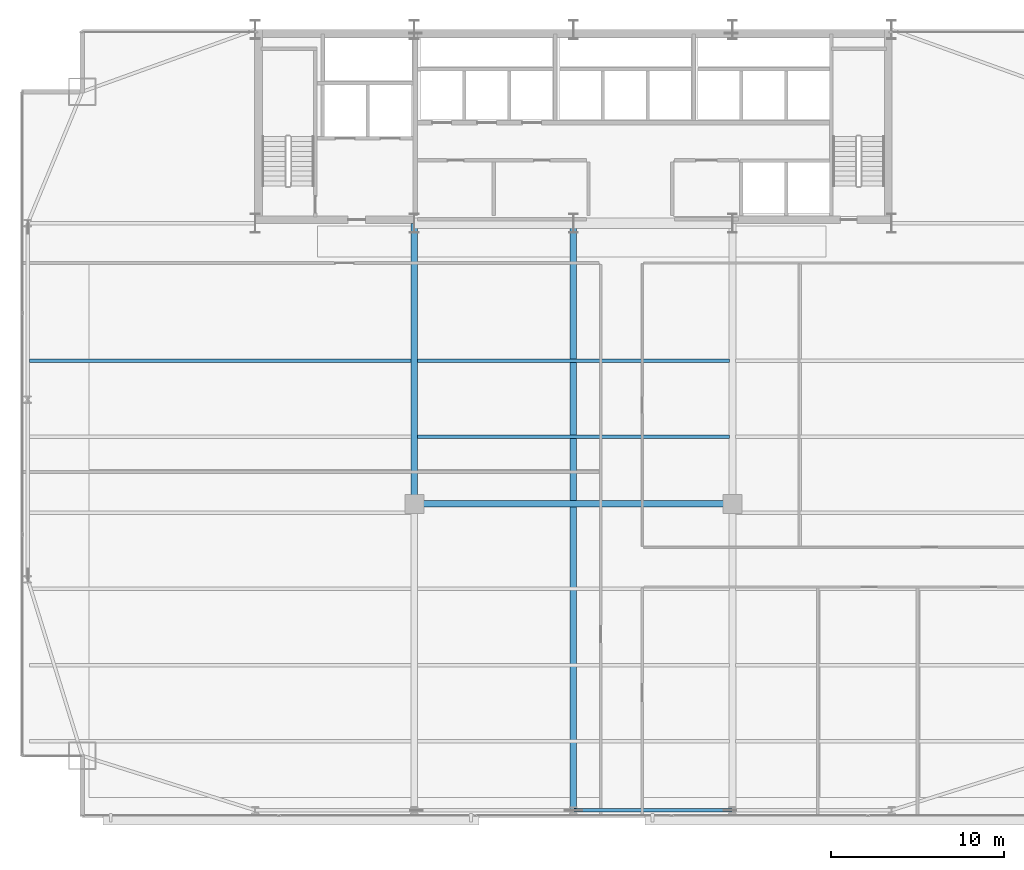
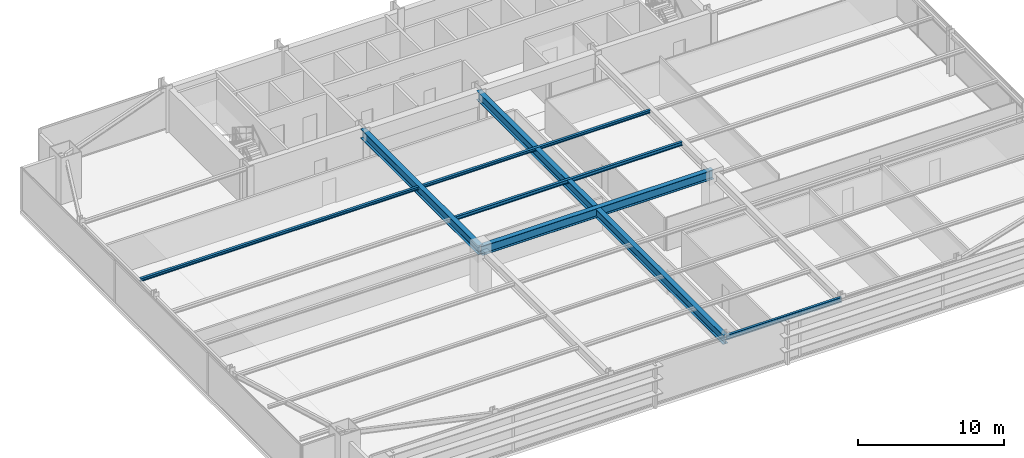
# One storey, part 11 of 32: 7 beams.
"""IFC4 building model written with IfcOpenShell, lengths in metres."""

from ifc_helpers import new_model, si_unit, direction, frame, origin, origin_2d, place, context, subcontext, project, spatial, i_section, extrude, source, transform, mapped, material, material_profile, profile_set, type_object, type_shapes, element, save


model = new_model("IFC4")

# Units and contexts
model_context = context("Model", 3, precision=1e-05, world=origin(), true_north=direction((0.0, 1.0)))
body_context = subcontext(model_context, "Body", "Model", "MODEL_VIEW")
ifc_project = project(units=[si_unit("LENGTHUNIT", "METRE"), si_unit("AREAUNIT", "SQUARE_METRE"), si_unit("VOLUMEUNIT", "CUBIC_METRE"), si_unit("PLANEANGLEUNIT", "RADIAN"), si_unit("MASSUNIT", "GRAM", prefix="KILO")], contexts=[model_context])

# Site, building, storey
site_placement = place(None, origin())
site = spatial("IfcSite", under=ifc_project, at=site_placement, CompositionType="ELEMENT")
building_placement = place(site_placement, origin())
building = spatial("IfcBuilding", under=site, at=building_placement, Name="Varnel Quay Broadcast Tower", CompositionType="ELEMENT")
storey_placement = place(building_placement, frame((0.0, 0.0, 78.300048828125)))
storey = spatial("IfcBuildingStorey", under=building, at=storey_placement, Name="L18", CompositionType="ELEMENT", Elevation=78.300048828125)

# Beams
ifc_material = material(Name="Structural Steel CSA G40.21 350W", Category="steel")
ifc_material_profile_1 = material_profile(ifc_material, i_section(OverallWidth=0.180908203125, OverallDepth=0.4169921875, WebThickness=0.010986328125, FlangeThickness=0.018310546875, FilletRadius=0.011962890625, at=origin_2d()), Name="W410X85")
ifc_profile_set_1 = profile_set([ifc_material_profile_1], Name="Structural Steel CSA G40.21 350W")
beam_type_1 = type_object("IfcBeamType", Name="Beam_W410X85", PredefinedType="SPANDREL", material=ifc_profile_set_1)
shared_shape_1 = source(origin(), body_context, "Body", "SweptSolid", [
    extrude(i_section(OverallWidth=0.180908203125, OverallDepth=0.4169921875, WebThickness=0.010986328125, FlangeThickness=0.018310546875, FilletRadius=0.011962890625, at=origin_2d()), origin(), (0.0, 0.0, 1.0), 9.159912109375),
])
type_shapes(beam_type_1, [shared_shape_1])
beam_1_placement = place(storey_placement, frame((34.02001953125, 1.64990234375, 3.371337890625), z_axis=(1.0, 0.0, 0.0), x_axis=(0.0, 1.0, 0.0)))
element("IfcBeam", 1, at=beam_1_placement, inside=storey, type_object=beam_type_1, Name="L18 South Spandrel TC-S3-TC-S4", PredefinedType="SPANDREL", context=body_context, shape_type="MappedRepresentation", body=[
    mapped(shared_shape_1, transform((0.0, 0.0, 0.0), x_axis=(1.0, 0.0, 0.0), y_axis=(0.0, 1.0, 0.0), z_axis=(0.0, 0.0, 1.0), scale=1.0)),
])
ifc_material_profile_2 = material_profile(ifc_material, i_section(OverallWidth=0.381103515625, OverallDepth=0.77294921875, WebThickness=0.0166015625, FlangeThickness=0.027587890625, FilletRadius=0.01806640625, at=origin_2d()), Name="W760X257")
ifc_profile_set_2 = profile_set([ifc_material_profile_2], Name="Structural Steel CSA G40.21 350W")
beam_type_2 = type_object("IfcBeamType", Name="Girder_W760X257", PredefinedType="BEAM", material=ifc_profile_set_2)
shared_shape_2 = source(origin(), body_context, "Body", "SweptSolid", [
    extrude(i_section(OverallWidth=0.381103515625, OverallDepth=0.77294921875, WebThickness=0.0166015625, FlangeThickness=0.027587890625, FilletRadius=0.01806640625, at=origin_2d()), origin(), (0.0, 0.0, 1.0), 16.190185546875),
])
beam_2_placement = place(storey_placement, frame((24.800048828125, 19.389892578125, 3.193359375), z_axis=(0.0, 1.0, 0.0), x_axis=(-1.0, 0.0, 0.0)))
element("IfcBeam", 2, at=beam_2_placement, inside=storey, type_object=beam_type_2, Name="L18 Primary Girder IC-01-CC-S2", PredefinedType="BEAM", context=body_context, shape_type="MappedRepresentation", body=[
    mapped(shared_shape_2, transform((0.0, 0.0, 0.0), x_axis=(1.0, 0.0, 0.0), y_axis=(0.0, 1.0, 0.0), z_axis=(0.0, 0.0, 1.0), scale=1.0)),
])
shared_shape_3 = source(origin(), body_context, "Body", "SweptSolid", [
    extrude(i_section(OverallWidth=0.381103515625, OverallDepth=0.77294921875, WebThickness=0.0166015625, FlangeThickness=0.027587890625, FilletRadius=0.01806640625, at=origin_2d()), origin(), (0.0, 0.0, 1.0), 18.35986328125),
])
beam_3_placement = place(storey_placement, frame((24.820068359375, 19.3701171875, 3.193359375), z_axis=(1.0, 0.0, 0.0), x_axis=(0.0, 1.0, 0.0)))
element("IfcBeam", 3, at=beam_3_placement, inside=storey, type_object=beam_type_2, Name="L18 Interior Spine Girder", PredefinedType="BEAM", context=body_context, shape_type="MappedRepresentation", body=[
    mapped(shared_shape_3, transform((0.0, 0.0, 0.0), x_axis=(1.0, 0.0, 0.0), y_axis=(0.0, 1.0, 0.0), z_axis=(0.0, 0.0, 1.0), scale=1.0)),
])
shared_shape_4 = source(origin(), body_context, "Body", "SweptSolid", [
    extrude(i_section(OverallWidth=0.381103515625, OverallDepth=0.77294921875, WebThickness=0.0166015625, FlangeThickness=0.027587890625, FilletRadius=0.01806640625, at=origin_2d()), origin(), (0.0, 0.0, 1.0), 33.91015625),
])
type_shapes(beam_type_2, [shared_shape_2, shared_shape_3, shared_shape_4])
beam_4_placement = place(storey_placement, frame((34.0, 1.669921875, 3.193359375), z_axis=(0.0, 1.0, 0.0), x_axis=(-1.0, 0.0, 0.0)))
element("IfcBeam", 4, at=beam_4_placement, inside=storey, type_object=beam_type_2, Name="L18 Central Bay Girder", PredefinedType="BEAM", context=body_context, shape_type="MappedRepresentation", body=[
    mapped(shared_shape_4, transform((0.0, 0.0, 0.0), x_axis=(1.0, 0.0, 0.0), y_axis=(0.0, 1.0, 0.0), z_axis=(0.0, 0.0, 1.0), scale=1.0)),
])
ifc_material_profile_3 = material_profile(ifc_material, i_section(OverallWidth=0.202880859375, OverallDepth=0.302978515625, WebThickness=0.007568359375, FlangeThickness=0.01318359375, FilletRadius=0.011962890625, at=origin_2d()), Name="W310X60")
ifc_profile_set_3 = profile_set([ifc_material_profile_3], Name="Structural Steel CSA G40.21 350W")
beam_type_3 = type_object("IfcBeamType", Name="Beam_W310X60", PredefinedType="JOIST", material=ifc_profile_set_3)
shared_shape_5 = source(origin(), body_context, "Body", "SweptSolid", [
    extrude(i_section(OverallWidth=0.202880859375, OverallDepth=0.302978515625, WebThickness=0.007568359375, FlangeThickness=0.01318359375, FilletRadius=0.011962890625, at=origin_2d()), origin(), (0.0, 0.0, 1.0), 18.02880859375),
])
type_shapes(beam_type_3, [shared_shape_5])
beam_5_placement = place(storey_placement, frame((24.985595703125, 23.25, 3.428466796875), z_axis=(1.0, 0.0, 0.0), x_axis=(0.0, 1.0, 0.0)))
element("IfcBeam", 5, at=beam_5_placement, inside=storey, type_object=beam_type_3, Name="L18 Central Floor Joist 5", PredefinedType="JOIST", context=body_context, shape_type="MappedRepresentation", body=[
    mapped(shared_shape_5, transform((0.0, 0.0, 0.0), x_axis=(1.0, 0.0, 0.0), y_axis=(0.0, 1.0, 0.0), z_axis=(0.0, 0.0, 1.0), scale=1.0)),
])
ifc_material_profile_4 = material_profile(ifc_material, i_section(OverallWidth=0.201904296875, OverallDepth=0.2470703125, WebThickness=0.00732421875, FlangeThickness=0.010986328125, FilletRadius=0.010986328125, at=origin_2d()), Name="W250X49")
ifc_profile_set_4 = profile_set([ifc_material_profile_4], Name="Structural Steel CSA G40.21 350W")
beam_type_4 = type_object("IfcBeamType", Name="Beam_W250X49", PredefinedType="JOIST", material=ifc_profile_set_4)
shared_shape_6 = source(origin(), body_context, "Body", "SweptSolid", [
    extrude(i_section(OverallWidth=0.201904296875, OverallDepth=0.2470703125, WebThickness=0.00732421875, FlangeThickness=0.010986328125, FilletRadius=0.010986328125, at=origin_2d()), origin(), (0.0, 0.0, 1.0), 22.0791015625),
])
beam_6_placement = place(storey_placement, frame((2.535400390625, 27.64990234375, 3.45654296875), z_axis=(1.0, 0.0, 0.0), x_axis=(0.0, 1.0, 0.0)))
element("IfcBeam", 6, at=beam_6_placement, inside=storey, type_object=beam_type_4, Name="L18 West Floor Joist 6", PredefinedType="JOIST", context=body_context, shape_type="MappedRepresentation", body=[
    mapped(shared_shape_6, transform((0.0, 0.0, 0.0), x_axis=(1.0, 0.0, 0.0), y_axis=(0.0, 1.0, 0.0), z_axis=(0.0, 0.0, 1.0), scale=1.0)),
])
shared_shape_7 = source(origin(), body_context, "Body", "SweptSolid", [
    extrude(i_section(OverallWidth=0.201904296875, OverallDepth=0.2470703125, WebThickness=0.00732421875, FlangeThickness=0.010986328125, FilletRadius=0.010986328125, at=origin_2d()), origin(), (0.0, 0.0, 1.0), 18.02880859375),
])
type_shapes(beam_type_4, [shared_shape_6, shared_shape_7])
beam_7_placement = place(storey_placement, frame((24.985595703125, 27.64990234375, 3.45654296875), z_axis=(1.0, 0.0, 0.0), x_axis=(0.0, 1.0, 0.0)))
element("IfcBeam", 7, at=beam_7_placement, inside=storey, type_object=beam_type_4, Name="L18 Central Floor Joist 6", PredefinedType="JOIST", context=body_context, shape_type="MappedRepresentation", body=[
    mapped(shared_shape_7, transform((0.0, 0.0, 0.0), x_axis=(1.0, 0.0, 0.0), y_axis=(0.0, 1.0, 0.0), z_axis=(0.0, 0.0, 1.0), scale=1.0)),
])

save(model, "model.ifc")
